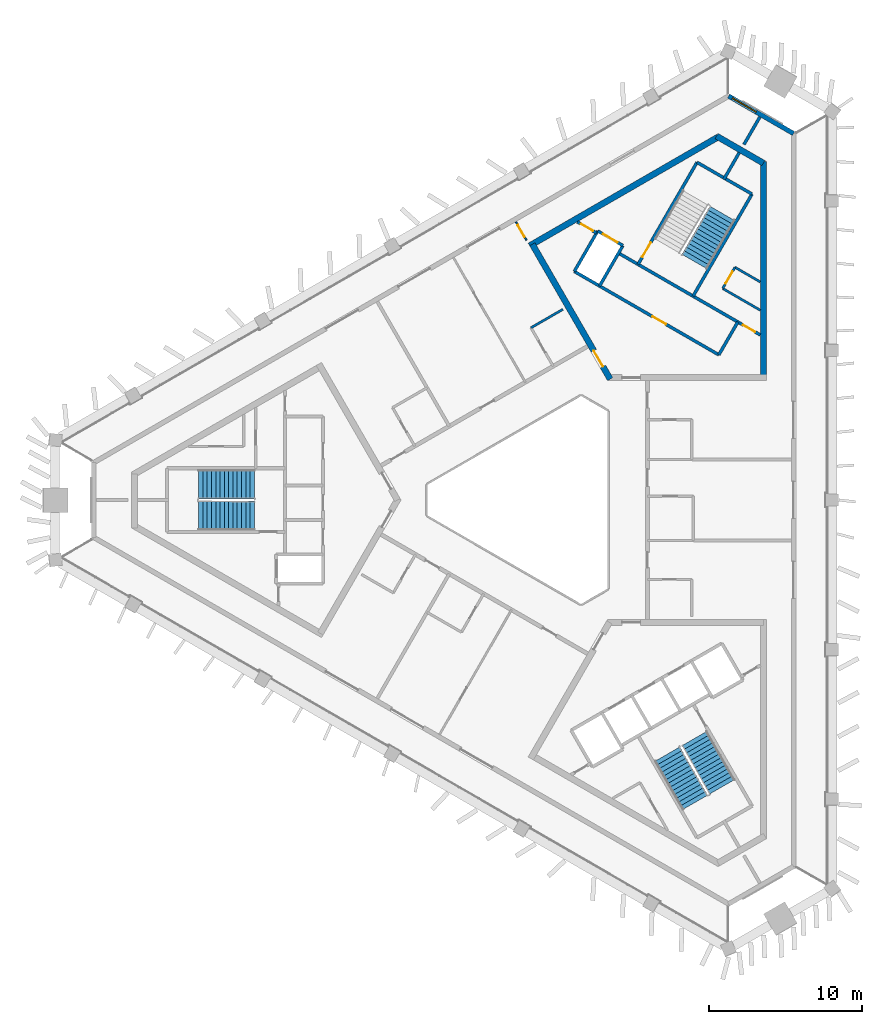
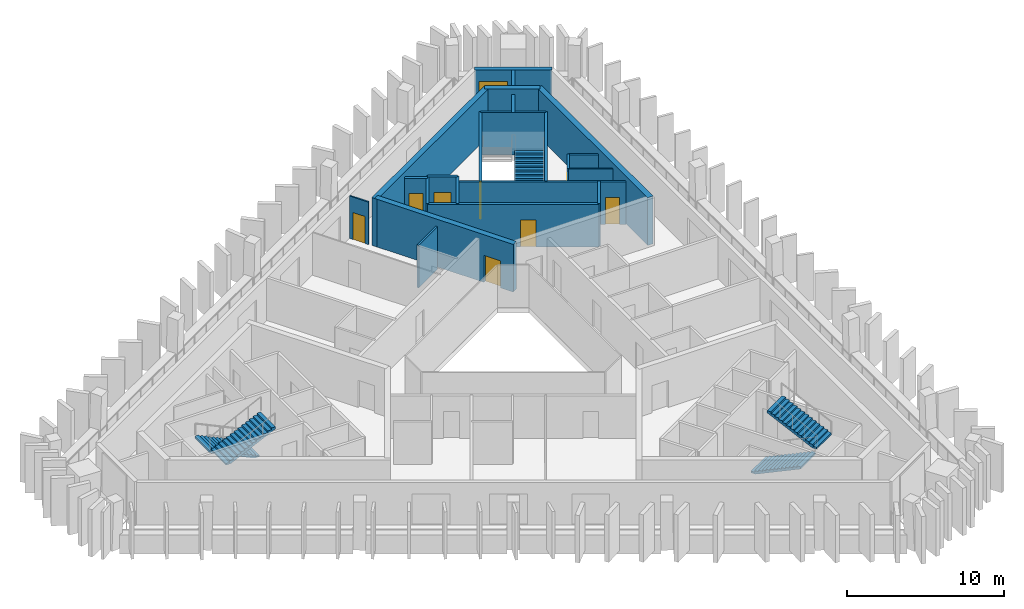
# One storey, part 5 of 9: 22 walls, 8 doors, 5 stair flights, 1 window, 9 openings, 3 elements without a shape of their own.
"""IFC4 building model written with IfcOpenShell, lengths in metres."""

from ifc_helpers import new_model, si_unit, direction, frame, frame_2d, origin, place, context, subcontext, project, spatial, polyline, rectangle, outline, extrude, material, layer, layer_set, type_object, element, fill, aggregate, save


model = new_model("IFC4")

# Units and contexts
model_context = context("Model", 3, precision=1e-05, world=origin(), true_north=direction((0.0, 1.0)))
body_context = subcontext(model_context, "Body", "Model", "MODEL_VIEW")
ifc_project = project(units=[si_unit("LENGTHUNIT", "METRE"), si_unit("AREAUNIT", "SQUARE_METRE"), si_unit("VOLUMEUNIT", "CUBIC_METRE"), si_unit("PLANEANGLEUNIT", "RADIAN"), si_unit("MASSUNIT", "GRAM", prefix="KILO")], contexts=[model_context])

# Site, building, storey
site_placement = place(None, origin())
site = spatial("IfcSite", under=ifc_project, at=site_placement, CompositionType="ELEMENT")
building_placement = place(site_placement, origin())
building = spatial("IfcBuilding", under=site, at=building_placement, Name="Jabali Bay Hotel Tower and Convention Centre", CompositionType="ELEMENT")
storey_placement = place(building_placement, frame((0.0, 0.0, 270.10009765625)))
storey = spatial("IfcBuildingStorey", under=building, at=storey_placement, Name="L66", CompositionType="ELEMENT", Elevation=270.10009765625)

# Wall
ifc_material_1 = material(Name="Concrete C40", Category="concrete")
ifc_layer_1 = layer(ifc_material_1, 0.199951171875)
ifc_layer_set_1 = layer_set([ifc_layer_1], Name="Concrete C40")
wall_type_1 = type_object("IfcWallType", Name="Core partition wall 200", PredefinedType="PARTITIONING", material=ifc_layer_set_1)
wall_1_placement = place(storey_placement, frame((87.090087890625, 100.9404296875, 0.0), z_axis=(0.0, 0.0, 1.0), x_axis=(0.499941815747, 0.866058993873, 0.0)))
element("IfcWall", 1, at=wall_1_placement, inside=storey, type_object=wall_type_1, Name="Core wall 1.3 L66", PredefinedType="PARTITIONING", context=body_context, shape_type="SweptSolid", body=[
    extrude(rectangle(XDim=2.023193359375, YDim=0.199951171875, at=frame_2d((1.01171875, 0.0))), origin(), (0.0, 0.0, 1.0), 3.2998046875),
])

# Wall, opening, door
wall_2_placement = place(storey_placement, frame((78.7802734375, 97.447509765625, 0.0), z_axis=(0.0, 0.0, 1.0), x_axis=(-0.866045896294, 0.499964504253, 0.0)))
wall_2 = element("IfcWall", 2, at=wall_2_placement, inside=storey, type_object=wall_type_1, Name="Core wall 1.9 L66", PredefinedType="PARTITIONING", context=body_context, shape_type="SweptSolid", body=[
    extrude(rectangle(XDim=1.455078125, YDim=0.199951171875, at=frame_2d((0.7275390625, 0.0))), origin(), (0.0, 0.0, 1.0), 3.2998046875),
])
opening_1_placement = place(wall_2_placement, frame((0.277587890625, 0.0, 0.0)))
opening_1 = element("IfcOpeningElement", 3, at=opening_1_placement, cuts=wall_2, Name="Opening D1458", PredefinedType="OPENING", context=body_context, shape_type="SweptSolid", body=[
    extrude(rectangle(XDim=0.89990234375, YDim=2.10009765625, at=frame_2d((0.449951171875, 1.050048828125))), frame((0.0, 0.1103515625, 0.0), z_axis=(0.0, -1.0, 0.0), x_axis=(1.0, 0.0, 0.0)), (0.0, 0.0, 1.0), 0.220947265625),
])
ifc_material_2 = material(Name="Fire-rated steel door", Category="steel")
door_type_1 = type_object("IfcDoorType", Name="Vestibule fire door 900 x 2100", OperationType="NOTDEFINED", PredefinedType="NOTDEFINED", material=ifc_material_2)
door_1_placement = place(opening_1_placement, origin())
door_1 = element("IfcDoor", 4, at=door_1_placement, inside=storey, type_object=door_type_1, Name="Vestibule fire door D1458", OperationType="SINGLE_SWING_LEFT", OverallHeight=2.10009765625, OverallWidth=0.89990234375, PredefinedType="NOTDEFINED", context=body_context, shape_type="SweptSolid", body=[
    extrude(rectangle(XDim=0.89990234375, YDim=2.10009765625, at=frame_2d((0.449951171875, 1.050048828125))), frame((0.0, 0.02490234375, 0.0), z_axis=(0.0, -1.0, 0.0), x_axis=(1.0, 0.0, 0.0)), (0.0, 0.0, 1.0), 0.050048828125),
])
fill(opening_1, door_1)

ifc_material_3 = material(Name="Fire-rated board partition")
ifc_layer_2 = layer(ifc_material_3, 0.14990234375)
ifc_layer_set_2 = layer_set([ifc_layer_2], Name="Fire-rated board partition")
wall_type_2 = type_object("IfcWallType", Name="Core room partition 150", PredefinedType="PARTITIONING", material=ifc_layer_set_2)
wall_3_placement = place(storey_placement, frame((87.02099609375, 93.821044921875, 0.0), z_axis=(0.0, 0.0, 1.0), x_axis=(0.499995408039, 0.866028054938, 0.0)))
wall_3 = element("IfcWall", 5, at=wall_3_placement, inside=storey, type_object=wall_type_2, Name="Core wall 1.1 L66", PredefinedType="PARTITIONING", context=body_context, shape_type="SweptSolid", body=[
    extrude(rectangle(XDim=1.60009765625, YDim=0.14990234375, at=frame_2d((0.800048828125, 0.0))), origin(), (0.0, 0.0, 1.0), 3.2998046875),
])
opening_2_placement = place(wall_3_placement, frame((0.387451171875, 0.0, 0.0)))
opening_2 = element("IfcOpeningElement", 6, at=opening_2_placement, cuts=wall_3, Name="Opening D1461", PredefinedType="OPENING", context=body_context, shape_type="SweptSolid", body=[
    extrude(rectangle(XDim=0.89990234375, YDim=2.10009765625, at=frame_2d((0.449951171875, 1.050048828125))), frame((0.0, 0.08544921875, 0.0), z_axis=(0.0, -1.0, 0.0), x_axis=(1.0, 0.0, 0.0)), (0.0, 0.0, 1.0), 0.1708984375),
])
door_type_2 = type_object("IfcDoorType", Name="Core room door 900 x 2100", OperationType="NOTDEFINED", PredefinedType="NOTDEFINED", material=ifc_material_2)
door_2_placement = place(opening_2_placement, origin())
door_2 = element("IfcDoor", 7, at=door_2_placement, inside=storey, type_object=door_type_2, Name="Core room door D1461", OperationType="SINGLE_SWING_LEFT", OverallHeight=2.10009765625, OverallWidth=0.89990234375, PredefinedType="NOTDEFINED", context=body_context, shape_type="SweptSolid", body=[
    extrude(rectangle(XDim=0.89990234375, YDim=2.10009765625, at=frame_2d((0.449951171875, 1.050048828125))), frame((0.0, 0.02490234375, 0.0), z_axis=(0.0, -1.0, 0.0), x_axis=(1.0, 0.0, 0.0)), (0.0, 0.0, 1.0), 0.050048828125),
])
fill(opening_2, door_2)

# Walls
wall_4_placement = place(storey_placement, frame((89.47998046875, 92.4013671875, 0.0), z_axis=(0.0, 0.0, 1.0), x_axis=(-0.866028081176, 0.499995362593, 0.0)))
element("IfcWall", 8, at=wall_4_placement, inside=storey, type_object=wall_type_2, Name="Core wall 1.11 L66", PredefinedType="PARTITIONING", context=body_context, shape_type="SweptSolid", body=[
    extrude(rectangle(XDim=2.83935546875, YDim=0.14990234375, at=frame_2d((1.419677734375, 0.0))), origin(), (0.0, 0.0, 1.0), 3.2998046875),
])
wall_5_placement = place(storey_placement, frame((89.47998046875, 94.2490234375, 0.0), z_axis=(0.0, 0.0, 1.0), x_axis=(-0.866030650962, 0.499990911512, 0.0)))
element("IfcWall", 9, at=wall_5_placement, inside=storey, type_object=wall_type_2, Name="Core wall 1.12 L66", PredefinedType="PARTITIONING", context=body_context, shape_type="SweptSolid", body=[
    extrude(rectangle(XDim=1.91552734375, YDim=0.14990234375, at=frame_2d((0.957763671875, 0.0))), origin(), (0.0, 0.0, 1.0), 3.2998046875),
])
ifc_layer_3 = layer(ifc_material_1, 0.199951171875)
ifc_layer_set_3 = layer_set([ifc_layer_3], Name="Concrete C40")
wall_type_3 = type_object("IfcWallType", Name="Core stair wall 200", PredefinedType="SOLIDWALL", material=ifc_layer_set_3)
wall_6_placement = place(storey_placement, frame((86.769775390625, 89.48583984375, 0.0), z_axis=(0.0, 0.0, 1.0), x_axis=(0.499961042966, 0.86604789447, 0.0)))
element("IfcWall", 10, at=wall_6_placement, inside=storey, type_object=wall_type_3, Name="Core wall 1.0 L66", PredefinedType="SOLIDWALL", context=body_context, shape_type="SweptSolid", body=[
    extrude(rectangle(XDim=2.480224609375, YDim=0.199951171875, at=frame_2d((1.240234375, 0.0))), origin(), (0.0, 0.0, 1.0), 3.2998046875),
])
wall_7_placement = place(storey_placement, frame((85.0869140625, 93.3212890625, 0.0), z_axis=(0.0, 0.0, 1.0), x_axis=(0.500019787375, 0.866013979237, 0.0)))
element("IfcWall", 11, at=wall_7_placement, inside=storey, type_object=wall_type_3, Name="Core wall 1.2 L66", PredefinedType="SOLIDWALL", context=body_context, shape_type="SweptSolid", body=[
    extrude(rectangle(XDim=7.699951171875, YDim=0.199951171875, at=frame_2d((3.85009765625, 0.0))), origin(), (0.0, 0.0, 1.0), 3.2998046875),
])

# Wall, opening, door
wall_8_placement = place(storey_placement, frame((81.492919921875, 95.396240234375, 0.0), z_axis=(0.0, 0.0, 1.0), x_axis=(0.500006057782, 0.866021906294, 0.0)))
wall_8 = element("IfcWall", 12, at=wall_8_placement, inside=storey, type_object=wall_type_3, Name="Core wall 1.4 L66", PredefinedType="SOLIDWALL", context=body_context, shape_type="SweptSolid", body=[
    extrude(rectangle(XDim=7.7001953125, YDim=0.199951171875, at=frame_2d((3.85009765625, 0.0))), origin(), (0.0, 0.0, 1.0), 3.2998046875),
])
opening_3_placement = place(wall_8_placement, frame((0.550048828125, 0.0, 0.0)))
opening_3 = element("IfcOpeningElement", 13, at=opening_3_placement, cuts=wall_8, Name="Opening D1460", PredefinedType="OPENING", context=body_context, shape_type="SweptSolid", body=[
    extrude(rectangle(XDim=1.10009765625, YDim=2.10009765625, at=frame_2d((0.550048828125, 1.050048828125))), frame((0.0, 0.1103515625, 0.0), z_axis=(0.0, -1.0, 0.0), x_axis=(1.0, 0.0, 0.0)), (0.0, 0.0, 1.0), 0.220947265625),
])
door_type_3 = type_object("IfcDoorType", Name="Stair fire door 1100 x 2100", OperationType="NOTDEFINED", PredefinedType="NOTDEFINED", material=ifc_material_2)
door_3_placement = place(opening_3_placement, origin())
door_3 = element("IfcDoor", 14, at=door_3_placement, inside=storey, type_object=door_type_3, Name="Stair fire door D1460", OperationType="SINGLE_SWING_RIGHT", OverallHeight=2.10009765625, OverallWidth=1.10009765625, PredefinedType="NOTDEFINED", context=body_context, shape_type="SweptSolid", body=[
    extrude(rectangle(XDim=1.10009765625, YDim=2.10009765625, at=frame_2d((0.550048828125, 1.050048828125))), frame((0.0, 0.02490234375, 0.0), z_axis=(0.0, -1.0, 0.0), x_axis=(1.0, 0.0, 0.0)), (0.0, 0.0, 1.0), 0.050048828125),
])
fill(opening_3, door_3)

# Walls
for number, where, z_axis, x_axis, name in (
    (15, (78.9755859375, 93.98583984375, 0.0), (0.0, 0.0, 1.0), (0.499944174705, 0.866057632134, 0.0), "Core wall 1.5 L66"),
    (16, (77.330078125, 94.93603515625, 0.0), (0.0, 0.0, 1.0), (0.500038867431, 0.8660029625, 0.0), "Core wall 1.6 L66"),
):
    element("IfcWall", number, at=place(storey_placement, frame(where, z_axis=z_axis, x_axis=x_axis)), inside=storey, type_object=wall_type_3, Name=name, PredefinedType="SOLIDWALL", context=body_context, shape_type="SweptSolid", body=[
        extrude(rectangle(XDim=3.050048828125, YDim=0.199951171875, at=frame_2d((1.52490234375, 0.0))), origin(), (0.0, 0.0, 1.0), 3.2998046875),
    ])

# Wall, opening, door
wall_9_placement = place(storey_placement, frame((86.769775390625, 89.48583984375, 0.0), z_axis=(0.0, 0.0, 1.0), x_axis=(-0.86601811187, 0.500012629753, 0.0)))
wall_9 = element("IfcWall", 17, at=wall_9_placement, inside=storey, type_object=wall_type_3, Name="Core wall 1.7 L66", PredefinedType="SOLIDWALL", context=body_context, shape_type="SweptSolid", body=[
    extrude(rectangle(XDim=10.900146484375, YDim=0.199951171875, at=frame_2d((5.4501953125, 0.0))), origin(), (0.0, 0.0, 1.0), 3.2998046875),
])
opening_4_placement = place(wall_9_placement, frame((4.0, 0.0, 0.0)))
opening_4 = element("IfcOpeningElement", 18, at=opening_4_placement, cuts=wall_9, Name="Opening D1457", PredefinedType="OPENING", context=body_context, shape_type="SweptSolid", body=[
    extrude(rectangle(XDim=1.0, YDim=2.10009765625, at=frame_2d((0.5, 1.050048828125))), frame((0.0, 0.1103515625, 0.0), z_axis=(0.0, -1.0, 0.0), x_axis=(1.0, 0.0, 0.0)), (0.0, 0.0, 1.0), 0.220947265625),
])
door_type_4 = type_object("IfcDoorType", Name="Core room door 1000 x 2100", OperationType="NOTDEFINED", PredefinedType="NOTDEFINED", material=ifc_material_2)
door_4_placement = place(opening_4_placement, origin())
door_4 = element("IfcDoor", 19, at=door_4_placement, inside=storey, type_object=door_type_4, Name="Core room door D1457", OperationType="SINGLE_SWING_RIGHT", OverallHeight=2.10009765625, OverallWidth=1.0, PredefinedType="NOTDEFINED", context=body_context, shape_type="SweptSolid", body=[
    extrude(rectangle(XDim=1.0, YDim=2.10009765625, at=frame_2d((0.5, 1.050048828125))), frame((0.0, 0.02490234375, 0.0), z_axis=(0.0, -1.0, 0.0), x_axis=(1.0, 0.0, 0.0)), (0.0, 0.0, 1.0), 0.050048828125),
])
fill(opening_4, door_4)

wall_10_placement = place(storey_placement, frame((89.47998046875, 90.784912109375, 0.0), z_axis=(0.0, 0.0, 1.0), x_axis=(-0.866022544512, 0.500004952373, 0.0)))
wall_10 = element("IfcWall", 20, at=wall_10_placement, inside=storey, type_object=wall_type_3, Name="Core wall 1.8 L66", PredefinedType="SOLIDWALL", context=body_context, shape_type="SweptSolid", body=[
    extrude(rectangle(XDim=10.69775390625, YDim=0.199951171875, at=frame_2d((5.348876953125, 0.0))), origin(), (0.0, 0.0, 1.0), 3.2998046875),
])
opening_5_placement = place(wall_10_placement, frame((0.398681640625, 0.0, 0.0)))
opening_5 = element("IfcOpeningElement", 21, at=opening_5_placement, cuts=wall_10, Name="Opening D1459", PredefinedType="OPENING", context=body_context, shape_type="SweptSolid", body=[
    extrude(rectangle(XDim=0.89990234375, YDim=2.10009765625, at=frame_2d((0.449951171875, 1.050048828125))), frame((0.0, 0.1103515625, 0.0), z_axis=(0.0, -1.0, 0.0), x_axis=(1.0, 0.0, 0.0)), (0.0, 0.0, 1.0), 0.220947265625),
])
door_5_placement = place(opening_5_placement, origin())
door_5 = element("IfcDoor", 22, at=door_5_placement, inside=storey, type_object=door_type_1, Name="Vestibule fire door D1459", OperationType="SINGLE_SWING_LEFT", OverallHeight=2.10009765625, OverallWidth=0.89990234375, PredefinedType="NOTDEFINED", context=body_context, shape_type="SweptSolid", body=[
    extrude(rectangle(XDim=0.89990234375, YDim=2.10009765625, at=frame_2d((0.449951171875, 1.050048828125))), frame((0.0, 0.02490234375, 0.0), z_axis=(0.0, -1.0, 0.0), x_axis=(1.0, 0.0, 0.0)), (0.0, 0.0, 1.0), 0.050048828125),
])
fill(opening_5, door_5)

wall_11_placement = place(storey_placement, frame((80.50048828125, 96.62744140625, 0.0), z_axis=(0.0, 0.0, 1.0), x_axis=(-0.86601224135, 0.500022797313, 0.0)))
wall_11 = element("IfcWall", 23, at=wall_11_placement, inside=storey, type_object=wall_type_3, Name="Core wall 1.10 L66", PredefinedType="SOLIDWALL", context=body_context, shape_type="SweptSolid", body=[
    extrude(rectangle(XDim=1.89990234375, YDim=0.199951171875, at=frame_2d((0.949951171875, 0.0))), origin(), (0.0, 0.0, 1.0), 3.2998046875),
])
opening_6_placement = place(wall_11_placement, frame((0.39990234375, 0.0, 0.0)))
opening_6 = element("IfcOpeningElement", 24, at=opening_6_placement, cuts=wall_11, Name="Opening LD10-L66", PredefinedType="OPENING", context=body_context, shape_type="SweptSolid", body=[
    extrude(rectangle(XDim=1.10009765625, YDim=2.10009765625, at=frame_2d((0.550048828125, 1.050048828125))), frame((0.0, 0.1103515625, 0.0), z_axis=(0.0, -1.0, 0.0), x_axis=(1.0, 0.0, 0.0)), (0.0, 0.0, 1.0), 0.220947265625),
])
ifc_material_4 = material(Name="Stainless steel landing door", Category="steel")
door_type_5 = type_object("IfcDoorType", Name="Landing door 1100 x 2100", OperationType="NOTDEFINED", PredefinedType="NOTDEFINED", material=ifc_material_4)
door_6_placement = place(opening_6_placement, origin())
door_6 = element("IfcDoor", 25, at=door_6_placement, inside=storey, type_object=door_type_5, Name="Landing doors LD10-L66", OperationType="SLIDING_TO_RIGHT", OverallHeight=2.10009765625, OverallWidth=1.10009765625, PredefinedType="NOTDEFINED", context=body_context, shape_type="SweptSolid", body=[
    extrude(rectangle(XDim=1.10009765625, YDim=2.10009765625, at=frame_2d((0.550048828125, 1.050048828125))), frame((0.0, 0.02490234375, 0.0), z_axis=(0.0, -1.0, 0.0), x_axis=(1.0, 0.0, 0.0)), (0.0, 0.0, 1.0), 0.050048828125),
])
fill(opening_6, door_6)

# Walls
wall_12_placement = place(storey_placement, frame((88.93701171875, 99.989501953125, 0.0), z_axis=(0.0, 0.0, 1.0), x_axis=(-0.866004344652, 0.500036473714, 0.0)))
element("IfcWall", 26, at=wall_12_placement, inside=storey, type_object=wall_type_3, Name="Core wall 1.13 L66", PredefinedType="SOLIDWALL", context=body_context, shape_type="SweptSolid", body=[
    extrude(rectangle(XDim=4.150146484375, YDim=0.199951171875, at=frame_2d((2.0751953125, 0.0))), origin(), (0.0, 0.0, 1.0), 3.2998046875),
])
ifc_material_5 = material(Name="Concrete C60", Category="concrete")
ifc_layer_4 = layer(ifc_material_5, 0.39990234375)
ifc_layer_set_4 = layer_set([ifc_layer_4], Name="Concrete C60")
wall_type_4 = type_object("IfcWallType", Name="Core wall 400", PredefinedType="SHEAR", material=ifc_layer_set_4)
wall_13_placement = place(storey_placement, frame((89.679931640625, 87.994140625, 0.0), z_axis=(0.0, 0.0, 1.0), x_axis=(0.0, 1.0, 0.0)))
element("IfcWall", 27, at=wall_13_placement, inside=storey, type_object=wall_type_4, Name="Core wall 2.2 L66", PredefinedType="SHEAR", context=body_context, shape_type="SweptSolid", body=[
    extrude(rectangle(XDim=14.133544921875, YDim=0.39990234375, at=frame_2d((7.06689453125, 0.0))), origin(), (0.0, 0.0, 1.0), 3.699951171875),
])
wall_14_placement = place(storey_placement, frame((89.679931640625, 102.01220703125, 0.0), z_axis=(0.0, 0.0, 1.0), x_axis=(-0.866025485263, 0.499999858875, 0.0)))
element("IfcWall", 28, at=wall_14_placement, inside=storey, type_object=wall_type_4, Name="Core wall 2.3 L66", PredefinedType="SHEAR", context=body_context, shape_type="SweptSolid", body=[
    extrude(rectangle(XDim=3.52978515625, YDim=0.39990234375, at=frame_2d((1.764892578125, 0.0))), origin(), (0.0, 0.0, 1.0), 3.699951171875),
])
wall_15_placement = place(storey_placement, frame((86.72314453125, 103.71923828125, 0.0), z_axis=(0.0, 0.0, 1.0), x_axis=(-0.866030317223, -0.499991489579, 0.0)))
element("IfcWall", 29, at=wall_15_placement, inside=storey, type_object=wall_type_4, Name="Core wall 2.4 L66", PredefinedType="SHEAR", context=body_context, shape_type="SweptSolid", body=[
    extrude(rectangle(XDim=14.218017578125, YDim=0.39990234375, at=frame_2d((7.10888671875, 0.0))), origin(), (0.0, 0.0, 1.0), 3.699951171875),
])

# Wall, opening, door
wall_16_placement = place(storey_placement, frame((74.583251953125, 96.71044921875, 0.0), z_axis=(0.0, 0.0, 1.0), x_axis=(0.499987488796, -0.866032627011, 0.0)))
wall_16 = element("IfcWall", 30, at=wall_16_placement, inside=storey, type_object=wall_type_4, Name="Core wall 2.5 L66", PredefinedType="SHEAR", context=body_context, shape_type="SweptSolid", body=[
    extrude(rectangle(XDim=10.179931640625, YDim=0.39990234375, at=frame_2d((5.08984375, 0.0))), origin(), (0.0, 0.0, 1.0), 3.699951171875),
])
opening_7_placement = place(wall_16_placement, frame((8.030029296875, 0.0, 0.0)))
opening_7 = element("IfcOpeningElement", 31, at=opening_7_placement, cuts=wall_16, Name="Opening D1456", PredefinedType="OPENING", context=body_context, shape_type="SweptSolid", body=[
    extrude(rectangle(XDim=1.199951171875, YDim=2.10009765625, at=frame_2d((0.60009765625, 1.050048828125))), frame((0.0, 0.21044921875, 0.0), z_axis=(0.0, -1.0, 0.0), x_axis=(1.0, 0.0, 0.0)), (0.0, 0.0, 1.0), 0.4208984375),
])
door_type_6 = type_object("IfcDoorType", Name="Corridor end fire door 1200 x 2100", OperationType="NOTDEFINED", PredefinedType="NOTDEFINED", material=ifc_material_2)
door_7_placement = place(opening_7_placement, origin())
door_7 = element("IfcDoor", 32, at=door_7_placement, inside=storey, type_object=door_type_6, Name="Corridor end fire door D1456", OperationType="SINGLE_SWING_LEFT", OverallHeight=2.10009765625, OverallWidth=1.199951171875, PredefinedType="NOTDEFINED", context=body_context, shape_type="SweptSolid", body=[
    extrude(rectangle(XDim=1.199951171875, YDim=2.10009765625, at=frame_2d((0.60009765625, 1.050048828125))), frame((0.0, 0.02490234375, 0.0), z_axis=(0.0, -1.0, 0.0), x_axis=(1.0, 0.0, 0.0)), (0.0, 0.0, 1.0), 0.050048828125),
])
fill(opening_7, door_7)

# Wall, opening, window
ifc_layer_5 = layer(ifc_material_1, 0.300048828125)
ifc_layer_set_5 = layer_set([ifc_layer_5], Name="Concrete C40")
wall_type_5 = type_object("IfcWallType", Name="External wall 300", PredefinedType="SOLIDWALL", material=ifc_layer_set_5)
wall_17_placement = place(storey_placement, frame((87.410400390625, 106.393798828125, 0.0), z_axis=(0.0, 0.0, 1.0), x_axis=(0.866026229868, -0.499998569178, 0.0)))
wall_17 = element("IfcWall", 33, at=wall_17_placement, inside=storey, type_object=wall_type_5, Name="External wall north-east chamfer L66", PredefinedType="SOLIDWALL", context=body_context, shape_type="SweptSolid", body=[
    extrude(rectangle(XDim=4.8984375, YDim=0.300048828125, at=frame_2d((2.44921875, 0.0))), origin(), (0.0, 0.0, 1.0), 3.2998046875),
])
opening_8_placement = place(wall_17_placement, frame((0.281494140625, 0.0, 0.89990234375)))
opening_8 = element("IfcOpeningElement", 34, at=opening_8_placement, cuts=wall_17, Name="Opening W1", PredefinedType="OPENING", context=body_context, shape_type="SweptSolid", body=[
    extrude(rectangle(XDim=1.800048828125, YDim=1.5, at=frame_2d((0.89990234375, 0.75))), frame((0.0, 0.16064453125, 0.0), z_axis=(0.0, -1.0, 0.0), x_axis=(1.0, 0.0, 0.0)), (0.0, 0.0, 1.0), 0.321044921875),
])
ifc_material_6 = material(Name="Glass", Category="glass")
window_type = type_object("IfcWindowType", Name="Window 1800 x 1500", PartitioningType="SINGLE_PANEL", PredefinedType="WINDOW", material=ifc_material_6)
window_placement = place(opening_8_placement, origin())
window = element("IfcWindow", 35, at=window_placement, inside=storey, type_object=window_type, Name="Window", OverallHeight=1.5, OverallWidth=1.800048828125, PartitioningType="SINGLE_PANEL", PredefinedType="WINDOW", context=body_context, shape_type="SweptSolid", body=[
    extrude(rectangle(XDim=1.800048828125, YDim=1.5, at=frame_2d((0.89990234375, 0.75))), frame((0.0, 0.030029296875, 0.0), z_axis=(0.0, -1.0, 0.0), x_axis=(1.0, 0.0, 0.0)), (0.0, 0.0, 1.0), 0.06005859375),
])
fill(opening_8, window)

# Wall, opening, door
ifc_material_7 = material(Name="Plasterboard on steel stud", Category="steel")
ifc_layer_6 = layer(ifc_material_7, 0.10009765625)
ifc_layer_set_6 = layer_set([ifc_layer_6], Name="Plasterboard on steel stud")
wall_type_6 = type_object("IfcWallType", Name="Partition 100 unit", PredefinedType="PARTITIONING", material=ifc_layer_set_6)
wall_18_placement = place(storey_placement, frame((74.199951171875, 96.97412109375, 0.0), z_axis=(0.0, 0.0, 1.0), x_axis=(-0.499956857557, 0.866050310653, 0.0)))
wall_18 = element("IfcWall", 36, at=wall_18_placement, inside=storey, type_object=wall_type_6, Name="Partition P02 L66 016", PredefinedType="PARTITIONING", context=body_context, shape_type="SweptSolid", body=[
    extrude(rectangle(XDim=1.38232421875, YDim=0.10009765625, at=frame_2d((0.691162109375, 0.0))), origin(), (0.0, 0.0, 1.0), 3.2998046875),
])
opening_9_placement = place(wall_18_placement, frame((0.240966796875, 0.0, 0.0)))
opening_9 = element("IfcOpeningElement", 37, at=opening_9_placement, cuts=wall_18, Name="Opening 6617", PredefinedType="OPENING", context=body_context, shape_type="SweptSolid", body=[
    extrude(rectangle(XDim=0.89990234375, YDim=2.10009765625, at=frame_2d((0.449951171875, 1.050048828125))), frame((0.0, 0.060546875, 0.0), z_axis=(0.0, -1.0, 0.0), x_axis=(1.0, 0.0, 0.0)), (0.0, 0.0, 1.0), 0.12109375),
])
ifc_material_8 = material(Name="Timber", Category="wood")
door_type_7 = type_object("IfcDoorType", Name="Internal door 900 x 2100", OperationType="NOTDEFINED", PredefinedType="NOTDEFINED", material=ifc_material_8)
door_8_placement = place(opening_9_placement, origin())
door_8 = element("IfcDoor", 38, at=door_8_placement, inside=storey, type_object=door_type_7, Name="Door 6617", OperationType="SINGLE_SWING_LEFT", OverallHeight=2.10009765625, OverallWidth=0.89990234375, PredefinedType="NOTDEFINED", context=body_context, shape_type="SweptSolid", body=[
    extrude(rectangle(XDim=0.89990234375, YDim=2.10009765625, at=frame_2d((0.449951171875, 1.050048828125))), frame((0.0, 0.02490234375, 0.0), z_axis=(0.0, -1.0, 0.0), x_axis=(1.0, 0.0, 0.0)), (0.0, 0.0, 1.0), 0.050048828125),
])
fill(opening_9, door_8)

# Walls
ifc_layer_7 = layer(ifc_material_7, 0.14990234375)
ifc_layer_set_7 = layer_set([ifc_layer_7], Name="Plasterboard on steel stud")
wall_type_7 = type_object("IfcWallType", Name="Partition 150 wet", PredefinedType="PARTITIONING", material=ifc_layer_set_7)
wall_19_placement = place(storey_placement, frame((74.498291015625, 91.25732421875, 0.0), z_axis=(0.0, 0.0, 1.0), x_axis=(0.866038271014, 0.499977712642, 0.0)))
element("IfcWall", 39, at=wall_19_placement, inside=storey, type_object=wall_type_7, Name="Partition P03 L66 015", PredefinedType="PARTITIONING", context=body_context, shape_type="SweptSolid", body=[
    extrude(rectangle(XDim=2.40087890625, YDim=0.14990234375, at=frame_2d((1.200439453125, 0.0))), origin(), (0.0, 0.0, 1.0), 3.2998046875),
])
ifc_layer_8 = layer(ifc_material_7, 0.199951171875)
ifc_layer_set_8 = layer_set([ifc_layer_8], Name="Plasterboard on steel stud")
wall_type_8 = type_object("IfcWallType", Name="Partition 200 party", PredefinedType="PARTITIONING", material=ifc_layer_set_8)
wall_20_placement = place(storey_placement, frame((89.446533203125, 105.02197265625, 0.0), z_axis=(0.0, 0.0, 1.0), x_axis=(-0.500008344384, -0.866020586098, 0.0)))
element("IfcWall", 40, at=wall_20_placement, inside=storey, type_object=wall_type_8, Name="Partition P01 L66 012", PredefinedType="PARTITIONING", context=body_context, shape_type="SweptSolid", body=[
    extrude(rectangle(XDim=2.06982421875, YDim=0.199951171875, at=frame_2d((1.034912109375, 0.0))), origin(), (0.0, 0.0, 1.0), 3.2998046875),
])

# Stair, stair flights
stair_type = type_object("IfcStairType", Name="Exit stair 1900", PredefinedType="HALF_TURN_STAIR", material=ifc_material_1)
stair_1_placement = place(storey_placement, origin())
stair_1 = element("IfcStair", 41, at=stair_1_placement, inside=storey, type_object=stair_type, Name="L66 Exit Stair 1", PredefinedType="HALF_TURN_STAIR")
stair_flight_type = type_object("IfcStairFlightType", Name="Stair flight concrete 150", PredefinedType="STRAIGHT", material=ifc_material_1)
stair_flight_1_placement = place(storey_placement, frame((56.419921875, 81.02490234375, 0.0), z_axis=(0.0, 0.0, 1.0), x_axis=(-1.0, 0.0, 0.0)))
stair_flight_1 = element("IfcStairFlight", 42, at=stair_flight_1_placement, type_object=stair_flight_type, Name="ST1 flight 1", NumberOfRisers=14, NumberOfTreads=13, PredefinedType="STRAIGHT", RiserHeight=0.132142857, TreadLength=0.28, context=body_context, shape_type="SweptSolid", body=[
    extrude(outline(polyline([(0.0, 0.0), (0.0, 0.132080078125), (0.280029296875, 0.132080078125), (0.280029296875, 0.264404296875), (0.56005859375, 0.264404296875), (0.56005859375, 0.396484375), (0.840087890625, 0.396484375), (0.840087890625, 0.528564453125), (1.1201171875, 0.528564453125), (1.1201171875, 0.66064453125), (1.39990234375, 0.66064453125), (1.39990234375, 0.79296875), (1.679931640625, 0.79296875), (1.679931640625, 0.925048828125), (1.9599609375, 0.925048828125), (1.9599609375, 1.05712890625), (2.239990234375, 1.05712890625), (2.239990234375, 1.189208984375), (2.52001953125, 1.189208984375), (2.52001953125, 1.321533203125), (2.800048828125, 1.321533203125), (2.800048828125, 1.45361328125), (3.080078125, 1.45361328125), (3.080078125, 1.585693359375), (3.360107421875, 1.585693359375), (3.360107421875, 1.7177734375), (3.639892578125, 1.7177734375), (3.639892578125, 1.85009765625), (3.639892578125, 1.552001953125), (0.351318359375, 0.0), (0.0, 0.0)])), frame((0.0, 0.949951171875, 0.0), z_axis=(0.0, -1.0, 0.0), x_axis=(1.0, 0.0, 0.0)), (0.0, 0.0, 1.0), 1.89990234375),
])
stair_flight_2_placement = place(storey_placement, frame((52.780029296875, 78.97509765625, 1.849853515625), z_axis=(0.0, 0.0, 1.0), x_axis=(1.0, 0.0, 0.0)))
stair_flight_2 = element("IfcStairFlight", 43, at=stair_flight_2_placement, type_object=stair_flight_type, Name="ST1 flight 2", NumberOfRisers=14, NumberOfTreads=13, PredefinedType="STRAIGHT", RiserHeight=0.132142857, TreadLength=0.28, context=body_context, shape_type="SweptSolid", body=[
    extrude(outline(polyline([(0.0, 0.0), (0.0, 0.132080078125), (0.280029296875, 0.132080078125), (0.280029296875, 0.264404296875), (0.56005859375, 0.264404296875), (0.56005859375, 0.396484375), (0.840087890625, 0.396484375), (0.840087890625, 0.528564453125), (1.1201171875, 0.528564453125), (1.1201171875, 0.66064453125), (1.39990234375, 0.66064453125), (1.39990234375, 0.79296875), (1.679931640625, 0.79296875), (1.679931640625, 0.925048828125), (1.9599609375, 0.925048828125), (1.9599609375, 1.05712890625), (2.239990234375, 1.05712890625), (2.239990234375, 1.189208984375), (2.52001953125, 1.189208984375), (2.52001953125, 1.321533203125), (2.800048828125, 1.321533203125), (2.800048828125, 1.45361328125), (3.080078125, 1.45361328125), (3.080078125, 1.585693359375), (3.360107421875, 1.585693359375), (3.360107421875, 1.7177734375), (3.639892578125, 1.7177734375), (3.639892578125, 1.85009765625), (3.639892578125, 1.552001953125), (0.351318359375, 0.0), (0.0, 0.0)])), frame((0.0, 0.949951171875, 0.0), z_axis=(0.0, -1.0, 0.0), x_axis=(1.0, 0.0, 0.0)), (0.0, 0.0, 1.0), 1.89990234375),
])
aggregate(stair_1, [stair_flight_1, stair_flight_2])

# Stair, stair flight
stair_2_placement = place(storey_placement, origin())
stair_2 = element("IfcStair", 44, at=stair_2_placement, inside=storey, type_object=stair_type, Name="L66 Exit Stair 2", PredefinedType="HALF_TURN_STAIR")
stair_flight_3_placement = place(storey_placement, frame((85.177734375, 95.578369140625, 0.0), z_axis=(0.0, 0.0, 1.0), x_axis=(0.5, 0.866025403784, 0.0)))
stair_flight_3 = element("IfcStairFlight", 45, at=stair_flight_3_placement, type_object=stair_flight_type, Name="ST2 flight 1", NumberOfRisers=14, NumberOfTreads=13, PredefinedType="STRAIGHT", RiserHeight=0.132142857, TreadLength=0.28, context=body_context, shape_type="SweptSolid", body=[
    extrude(outline(polyline([(0.0, 0.0), (0.0, 0.132080078125), (0.280029296875, 0.132080078125), (0.280029296875, 0.264404296875), (0.56005859375, 0.264404296875), (0.56005859375, 0.396484375), (0.840087890625, 0.396484375), (0.840087890625, 0.528564453125), (1.1201171875, 0.528564453125), (1.1201171875, 0.66064453125), (1.39990234375, 0.66064453125), (1.39990234375, 0.79296875), (1.679931640625, 0.79296875), (1.679931640625, 0.925048828125), (1.9599609375, 0.925048828125), (1.9599609375, 1.05712890625), (2.239990234375, 1.05712890625), (2.239990234375, 1.189208984375), (2.52001953125, 1.189208984375), (2.52001953125, 1.321533203125), (2.800048828125, 1.321533203125), (2.800048828125, 1.45361328125), (3.080078125, 1.45361328125), (3.080078125, 1.585693359375), (3.360107421875, 1.585693359375), (3.360107421875, 1.7177734375), (3.639892578125, 1.7177734375), (3.639892578125, 1.85009765625), (3.639892578125, 1.552001953125), (0.351318359375, 0.0), (0.0, 0.0)])), frame((0.0, 0.949951171875, 0.0), z_axis=(0.0, -1.0, 0.0), x_axis=(1.0, 0.0, 0.0)), (0.0, 0.0, 1.0), 1.89990234375),
])
aggregate(stair_2, [stair_flight_3])

# Stair, stair flights
stair_3_placement = place(storey_placement, origin())
stair_3 = element("IfcStair", 46, at=stair_3_placement, inside=storey, type_object=stair_type, Name="L66 Exit Stair 3", PredefinedType="HALF_TURN_STAIR")
stair_flight_4_placement = place(storey_placement, frame((83.40234375, 63.396728515625, 0.0), z_axis=(0.0, 0.0, 1.0), x_axis=(0.5, -0.866025403784, 0.0)))
stair_flight_4 = element("IfcStairFlight", 47, at=stair_flight_4_placement, type_object=stair_flight_type, Name="ST3 flight 1", NumberOfRisers=14, NumberOfTreads=13, PredefinedType="STRAIGHT", RiserHeight=0.132142857, TreadLength=0.28, context=body_context, shape_type="SweptSolid", body=[
    extrude(outline(polyline([(0.0, 0.0), (0.0, 0.132080078125), (0.280029296875, 0.132080078125), (0.280029296875, 0.264404296875), (0.56005859375, 0.264404296875), (0.56005859375, 0.396484375), (0.840087890625, 0.396484375), (0.840087890625, 0.528564453125), (1.1201171875, 0.528564453125), (1.1201171875, 0.66064453125), (1.39990234375, 0.66064453125), (1.39990234375, 0.79296875), (1.679931640625, 0.79296875), (1.679931640625, 0.925048828125), (1.9599609375, 0.925048828125), (1.9599609375, 1.05712890625), (2.239990234375, 1.05712890625), (2.239990234375, 1.189208984375), (2.52001953125, 1.189208984375), (2.52001953125, 1.321533203125), (2.800048828125, 1.321533203125), (2.800048828125, 1.45361328125), (3.080078125, 1.45361328125), (3.080078125, 1.585693359375), (3.360107421875, 1.585693359375), (3.360107421875, 1.7177734375), (3.639892578125, 1.7177734375), (3.639892578125, 1.85009765625), (3.639892578125, 1.552001953125), (0.351318359375, 0.0), (0.0, 0.0)])), frame((0.0, 0.949951171875, 0.0), z_axis=(0.0, -1.0, 0.0), x_axis=(1.0, 0.0, 0.0)), (0.0, 0.0, 1.0), 1.89990234375),
])
stair_flight_5_placement = place(storey_placement, frame((86.99755859375, 61.26953125, 1.849853515625), z_axis=(0.0, 0.0, 1.0), x_axis=(-0.5, 0.866025403784, 0.0)))
stair_flight_5 = element("IfcStairFlight", 48, at=stair_flight_5_placement, type_object=stair_flight_type, Name="ST3 flight 2", NumberOfRisers=14, NumberOfTreads=13, PredefinedType="STRAIGHT", RiserHeight=0.132142857, TreadLength=0.28, context=body_context, shape_type="SweptSolid", body=[
    extrude(outline(polyline([(0.0, 0.0), (0.0, 0.132080078125), (0.280029296875, 0.132080078125), (0.280029296875, 0.264404296875), (0.56005859375, 0.264404296875), (0.56005859375, 0.396484375), (0.840087890625, 0.396484375), (0.840087890625, 0.528564453125), (1.1201171875, 0.528564453125), (1.1201171875, 0.66064453125), (1.39990234375, 0.66064453125), (1.39990234375, 0.79296875), (1.679931640625, 0.79296875), (1.679931640625, 0.925048828125), (1.9599609375, 0.925048828125), (1.9599609375, 1.05712890625), (2.239990234375, 1.05712890625), (2.239990234375, 1.189208984375), (2.52001953125, 1.189208984375), (2.52001953125, 1.321533203125), (2.800048828125, 1.321533203125), (2.800048828125, 1.45361328125), (3.080078125, 1.45361328125), (3.080078125, 1.585693359375), (3.360107421875, 1.585693359375), (3.360107421875, 1.7177734375), (3.639892578125, 1.7177734375), (3.639892578125, 1.85009765625), (3.639892578125, 1.552001953125), (0.351318359375, 0.0), (0.0, 0.0)])), frame((0.0, 0.949951171875, 0.0), z_axis=(0.0, -1.0, 0.0), x_axis=(1.0, 0.0, 0.0)), (0.0, 0.0, 1.0), 1.89990234375),
])
aggregate(stair_3, [stair_flight_4, stair_flight_5])

save(model, "model.ifc")
